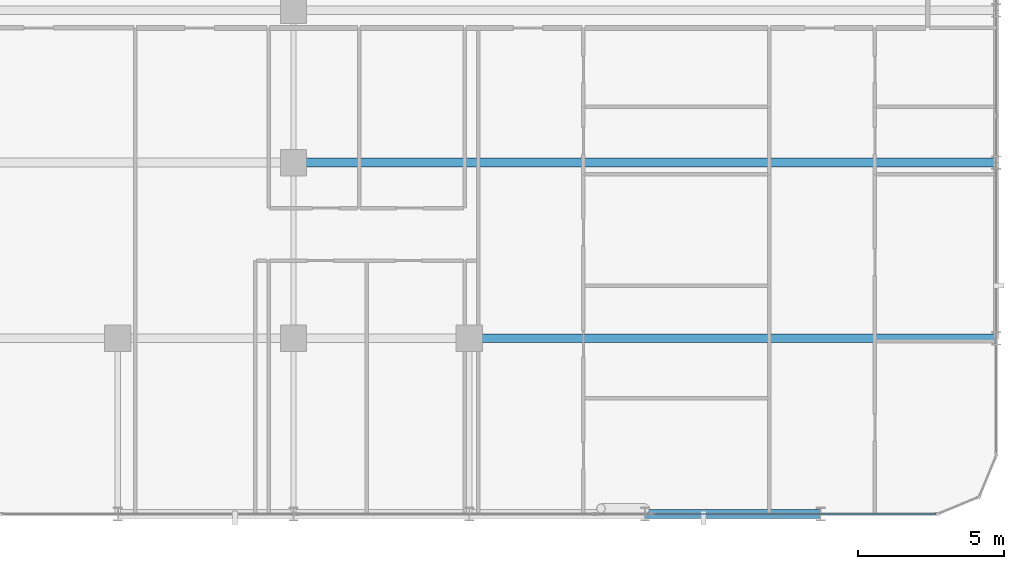
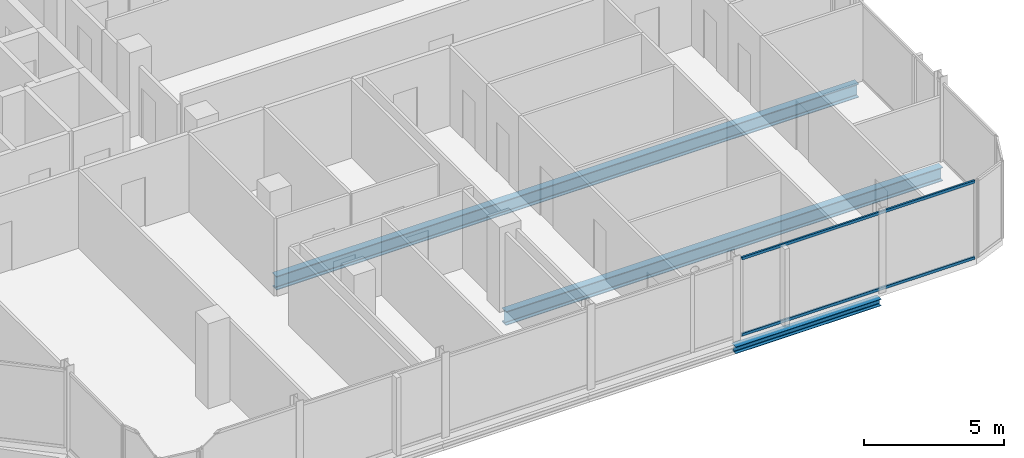
# One storey, part 11 of 29: 3 beams, 2 members, 1 element without a shape of its own.
"""IFC4 building model written with IfcOpenShell, lengths in metres."""

from ifc_helpers import new_model, si_unit, direction, frame, origin, origin_2d, place, context, subcontext, project, spatial, hollow_rectangle, i_section, extrude, material, layer, layer_set, material_profile, profile_set, type_object, element, aggregate, save


model = new_model("IFC4")

# Units and contexts
model_context = context("Model", 3, precision=1e-05, world=origin(), true_north=direction((0.0, 1.0)))
body_context = subcontext(model_context, "Body", "Model", "MODEL_VIEW")
ifc_project = project(units=[si_unit("LENGTHUNIT", "METRE"), si_unit("AREAUNIT", "SQUARE_METRE"), si_unit("VOLUMEUNIT", "CUBIC_METRE"), si_unit("PLANEANGLEUNIT", "RADIAN"), si_unit("MASSUNIT", "GRAM", prefix="KILO")], contexts=[model_context])

# Site, building, storey
site_placement = place(None, origin())
site = spatial("IfcSite", under=ifc_project, at=site_placement, CompositionType="ELEMENT")
building_placement = place(site_placement, origin())
building = spatial("IfcBuilding", under=site, at=building_placement, Name="Keshet Zoharim Tower", CompositionType="ELEMENT")
storey_placement = place(building_placement, frame((0.0, 0.0, 203.199951171875)))
storey = spatial("IfcBuildingStorey", under=building, at=storey_placement, Name="L50", CompositionType="ELEMENT", Elevation=203.199951171875)

# Beams
ifc_material_1 = material(Name="Steel S355", Category="steel")
ifc_material_profile_1 = material_profile(ifc_material_1, i_section(OverallWidth=0.300048828125, OverallDepth=0.60009765625, WebThickness=0.015380859375, FlangeThickness=0.030029296875, FilletRadius=0.027099609375, at=origin_2d()), Name="HEB600")
ifc_profile_set_1 = profile_set([ifc_material_profile_1], Name="Steel S355")
beam_type_1 = type_object("IfcBeamType", Name="BM-LNG-HB600", PredefinedType="BEAM", material=ifc_profile_set_1)
beam_1_placement = place(storey_placement, frame((39.0, 6.699951171875, -0.60986328125), z_axis=(1.0, 0.0, 0.0), x_axis=(0.0, 1.0, 0.0)))
element("IfcBeam", 1, at=beam_1_placement, inside=storey, type_object=beam_type_1, Name="L50 Primary Girder X-008", PredefinedType="BEAM", context=body_context, shape_type="SweptSolid", body=[
    extrude(i_section(OverallWidth=0.300048828125, OverallDepth=0.60009765625, WebThickness=0.015380859375, FlangeThickness=0.030029296875, FilletRadius=0.027099609375, at=origin_2d()), origin(), (0.0, 0.0, 1.0), 18.0),
])
beam_2_placement = place(storey_placement, frame((33.0, 12.699951171875, -0.60986328125), z_axis=(1.0, 0.0, 0.0), x_axis=(0.0, 1.0, 0.0)))
element("IfcBeam", 2, at=beam_2_placement, inside=storey, type_object=beam_type_1, Name="L50 Primary Girder X-010", PredefinedType="BEAM", context=body_context, shape_type="SweptSolid", body=[
    extrude(i_section(OverallWidth=0.300048828125, OverallDepth=0.60009765625, WebThickness=0.015380859375, FlangeThickness=0.030029296875, FilletRadius=0.027099609375, at=origin_2d()), origin(), (0.0, 0.0, 1.0), 24.0),
])
ifc_material_profile_2 = material_profile(ifc_material_1, i_section(OverallWidth=0.300048828125, OverallDepth=0.300048828125, WebThickness=0.010986328125, FlangeThickness=0.01904296875, FilletRadius=0.027099609375, at=origin_2d()), Name="HEB300")
ifc_profile_set_2 = profile_set([ifc_material_profile_2], Name="Steel S355")
beam_type_2 = type_object("IfcBeamType", Name="BM-PRI-HB300", PredefinedType="BEAM", material=ifc_profile_set_2)
beam_3_placement = place(storey_placement, frame((45.0, 0.699951171875, -0.4599609375), z_axis=(1.0, 0.0, 0.0), x_axis=(0.0, 1.0, 0.0)))
element("IfcBeam", 3, at=beam_3_placement, inside=storey, type_object=beam_type_2, Name="L50 Primary Girder X-004", PredefinedType="BEAM", context=body_context, shape_type="SweptSolid", body=[
    extrude(i_section(OverallWidth=0.300048828125, OverallDepth=0.300048828125, WebThickness=0.010986328125, FlangeThickness=0.01904296875, FilletRadius=0.027099609375, at=origin_2d()), origin(), (0.0, 0.0, 1.0), 6.0),
])

# Curtain wall, members
ifc_material_2 = material(Name="Aluminium 6063-T6", Category="aluminium")
ifc_layer = layer(ifc_material_2, 0.139892578125)
ifc_layer_set = layer_set([ifc_layer], Name="Aluminium 6063-T6")
curtain_wall_type = type_object("IfcCurtainWallType", Name="CW-SYS-05", PredefinedType="NOTDEFINED", material=ifc_layer_set)
curtain_wall_placement = place(storey_placement, origin())
curtain_wall = element("IfcCurtainWall", 4, at=curtain_wall_placement, inside=storey, type_object=curtain_wall_type, Name="L50 Unitised Curtain Wall 06", PredefinedType="NOTDEFINED")
ifc_material_profile_3 = material_profile(ifc_material_2, hollow_rectangle(XDim=0.074951171875, YDim=0.1201171875, WallThickness=0.00390625, at=origin_2d()), Name="TRN-75x120")
ifc_profile_set_3 = profile_set([ifc_material_profile_3], Name="Aluminium 6063-T6")
member_type = type_object("IfcMemberType", Name="CWT-T12", PredefinedType="USERDEFINED", material=ifc_profile_set_3)
member_1_placement = place(storey_placement, frame((54.929931640625, 0.699951171875, 0.03515625), z_axis=(-1.0, 0.0, 0.0), x_axis=(0.0, -1.0, 0.0)))
member_1 = element("IfcMember", 5, at=member_1_placement, type_object=member_type, Name="CW-05 transom 1.1", ObjectType="TRANSOM", PredefinedType="USERDEFINED", context=body_context, shape_type="SweptSolid", body=[
    extrude(hollow_rectangle(XDim=0.074951171875, YDim=0.1201171875, WallThickness=0.00390625, at=origin_2d()), origin(), (0.0, 0.0, 1.0), 9.61181640625),
])
member_2_placement = place(storey_placement, frame((54.929931640625, 0.699951171875, 3.35498046875), z_axis=(-1.0, 0.0, 0.0), x_axis=(0.0, -1.0, 0.0)))
member_2 = element("IfcMember", 6, at=member_2_placement, type_object=member_type, Name="CW-05 transom 1.2", ObjectType="TRANSOM", PredefinedType="USERDEFINED", context=body_context, shape_type="SweptSolid", body=[
    extrude(hollow_rectangle(XDim=0.074951171875, YDim=0.1201171875, WallThickness=0.00390625, at=origin_2d()), origin(), (0.0, 0.0, 1.0), 9.61181640625),
])
aggregate(curtain_wall, [member_1, member_2])

save(model, "model.ifc")
